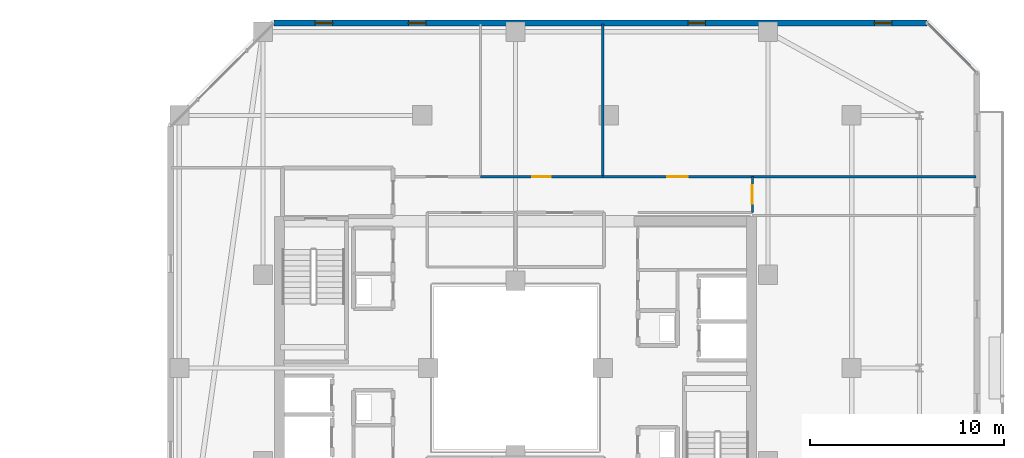
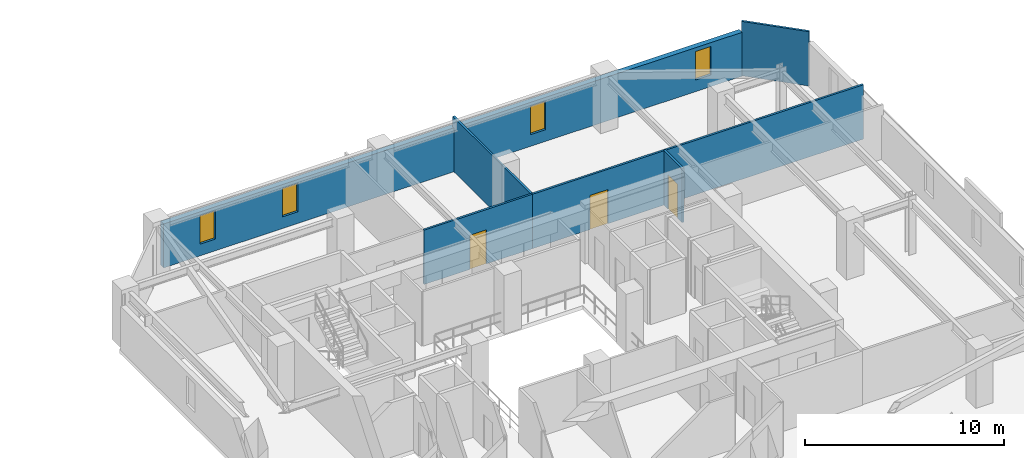
# One storey, part 25 of 32: 7 walls, 4 windows, 3 doors, 7 openings.
"""IFC4 building model written with IfcOpenShell, lengths in metres."""

from ifc_helpers import new_model, si_unit, direction, frame, frame_2d, origin, place, context, subcontext, project, spatial, rectangle, extrude, material, layer, layer_set, type_object, element, fill, save


model = new_model("IFC4")

# Units and contexts
model_context = context("Model", 3, precision=1e-05, world=origin(), true_north=direction((0.0, 1.0)))
body_context = subcontext(model_context, "Body", "Model", "MODEL_VIEW")
ifc_project = project(units=[si_unit("LENGTHUNIT", "METRE"), si_unit("AREAUNIT", "SQUARE_METRE"), si_unit("VOLUMEUNIT", "CUBIC_METRE"), si_unit("PLANEANGLEUNIT", "RADIAN"), si_unit("MASSUNIT", "GRAM", prefix="KILO")], contexts=[model_context])

# Site, building, storey
site_placement = place(None, origin())
site = spatial("IfcSite", under=ifc_project, at=site_placement, CompositionType="ELEMENT")
building_placement = place(site_placement, origin())
building = spatial("IfcBuilding", under=site, at=building_placement, Name="Thornwick Lancets Civic Towers", CompositionType="ELEMENT")
storey_placement = place(building_placement, frame((0.0, 0.0, 240.300048828125)))
storey = spatial("IfcBuildingStorey", under=building, at=storey_placement, Name="L64", CompositionType="ELEMENT", Elevation=240.300048828125)

# Wall, openings, windows
ifc_material_1 = material(Name="Insulated russet terracotta rainscreen on concrete C40/50", Category="masonry")
ifc_layer_1 = layer(ifc_material_1, 0.300048828125, Name="Insulated russet terracotta rainscreen on concrete C40/50")
ifc_layer_set_1 = layer_set([ifc_layer_1], Name="Insulated russet terracotta rainscreen on concrete C40/50")
wall_type_1 = type_object("IfcWallType", Name="WALL_EXT_RUSSET_300", PredefinedType="STANDARD", material=ifc_layer_set_1)
wall_1_placement = place(storey_placement, frame((109.681396484375, 44.7646484375, 0.0), z_axis=(0.0, 0.0, 1.0), x_axis=(-0.999999963872, -0.000268805477, 0.0)))
wall_1 = element("IfcWall", 1, at=wall_1_placement, inside=storey, type_object=wall_type_1, Name="L64 Tower B Terracotta Facade Wall E4", PredefinedType="STANDARD", context=body_context, shape_type="SweptSolid", body=[
    extrude(rectangle(XDim=33.60498046875, YDim=0.300048828125, at=frame_2d((16.802490234375, 0.0))), origin(), (0.0, 0.0, 1.0), 2.699951171875),
])
opening_1_placement = place(wall_1_placement, frame((1.800048828125, 0.0, 0.719970703125)))
opening_1 = element("IfcOpeningElement", 2, at=opening_1_placement, cuts=wall_1, Name="Opening WL-01", PredefinedType="OPENING", context=body_context, shape_type="SweptSolid", body=[
    extrude(rectangle(XDim=0.89990234375, YDim=1.75, at=frame_2d((0.449951171875, 0.875))), frame((0.0, 0.16015625, 0.0), z_axis=(0.0, -1.0, 0.0), x_axis=(1.0, 0.0, 0.0)), (0.0, 0.0, 1.0), 0.320068359375),
])
opening_2_placement = place(wall_1_placement, frame((11.39990234375, 0.0, 0.719970703125)))
opening_2 = element("IfcOpeningElement", 3, at=opening_2_placement, cuts=wall_1, Name="Opening WL-01", PredefinedType="OPENING", context=body_context, shape_type="SweptSolid", body=[
    extrude(rectangle(XDim=0.89990234375, YDim=1.75, at=frame_2d((0.449951171875, 0.875))), frame((0.0, 0.16015625, 0.0), z_axis=(0.0, -1.0, 0.0), x_axis=(1.0, 0.0, 0.0)), (0.0, 0.0, 1.0), 0.320068359375),
])
opening_3_placement = place(wall_1_placement, frame((25.800048828125, 0.0, 0.719970703125)))
opening_3 = element("IfcOpeningElement", 4, at=opening_3_placement, cuts=wall_1, Name="Opening WL-01", PredefinedType="OPENING", context=body_context, shape_type="SweptSolid", body=[
    extrude(rectangle(XDim=0.89990234375, YDim=1.75, at=frame_2d((0.449951171875, 0.875))), frame((0.0, 0.16015625, 0.0), z_axis=(0.0, -1.0, 0.0), x_axis=(1.0, 0.0, 0.0)), (0.0, 0.0, 1.0), 0.320068359375),
])
opening_4_placement = place(wall_1_placement, frame((30.60009765625, 0.0, 0.719970703125)))
opening_4 = element("IfcOpeningElement", 5, at=opening_4_placement, cuts=wall_1, Name="Opening WL-01", PredefinedType="OPENING", context=body_context, shape_type="SweptSolid", body=[
    extrude(rectangle(XDim=0.89990234375, YDim=1.75, at=frame_2d((0.449951171875, 0.875))), frame((0.0, 0.16015625, 0.0), z_axis=(0.0, -1.0, 0.0), x_axis=(1.0, 0.0, 0.0)), (0.0, 0.0, 1.0), 0.320068359375),
])
ifc_material_2 = material(Name="Clear low-e double glazing in bronze frame", Category="glass")
window_type = type_object("IfcWindowType", Name="WIN_LANCET_900", PartitioningType="SINGLE_PANEL", PredefinedType="WINDOW", material=ifc_material_2)
window_1_placement = place(opening_1_placement, origin())
window_1 = element("IfcWindow", 6, at=window_1_placement, inside=storey, type_object=window_type, Name="L64 Tower B Staggered Lancet Window E4-1", OverallHeight=1.75, OverallWidth=0.89990234375, PartitioningType="SINGLE_PANEL", PredefinedType="WINDOW", context=body_context, shape_type="SweptSolid", body=[
    extrude(rectangle(XDim=0.89990234375, YDim=1.75, at=frame_2d((0.449951171875, 0.875))), frame((0.0, 0.030029296875, 0.0), z_axis=(0.0, -1.0, 0.0), x_axis=(1.0, 0.0, 0.0)), (0.0, 0.0, 1.0), 0.06005859375),
])
fill(opening_1, window_1)
window_2_placement = place(opening_2_placement, origin())
window_2 = element("IfcWindow", 7, at=window_2_placement, inside=storey, type_object=window_type, Name="L64 Tower B Staggered Lancet Window E4-2", OverallHeight=1.75, OverallWidth=0.89990234375, PartitioningType="SINGLE_PANEL", PredefinedType="WINDOW", context=body_context, shape_type="SweptSolid", body=[
    extrude(rectangle(XDim=0.89990234375, YDim=1.75, at=frame_2d((0.449951171875, 0.875))), frame((0.0, 0.030029296875, 0.0), z_axis=(0.0, -1.0, 0.0), x_axis=(1.0, 0.0, 0.0)), (0.0, 0.0, 1.0), 0.06005859375),
])
fill(opening_2, window_2)
window_3_placement = place(opening_3_placement, origin())
window_3 = element("IfcWindow", 8, at=window_3_placement, inside=storey, type_object=window_type, Name="L64 Tower B Staggered Lancet Window E4-3", OverallHeight=1.75, OverallWidth=0.89990234375, PartitioningType="SINGLE_PANEL", PredefinedType="WINDOW", context=body_context, shape_type="SweptSolid", body=[
    extrude(rectangle(XDim=0.89990234375, YDim=1.75, at=frame_2d((0.449951171875, 0.875))), frame((0.0, 0.030029296875, 0.0), z_axis=(0.0, -1.0, 0.0), x_axis=(1.0, 0.0, 0.0)), (0.0, 0.0, 1.0), 0.06005859375),
])
fill(opening_3, window_3)
window_4_placement = place(opening_4_placement, origin())
window_4 = element("IfcWindow", 9, at=window_4_placement, inside=storey, type_object=window_type, Name="L64 Tower B Staggered Lancet Window E4-4", OverallHeight=1.75, OverallWidth=0.89990234375, PartitioningType="SINGLE_PANEL", PredefinedType="WINDOW", context=body_context, shape_type="SweptSolid", body=[
    extrude(rectangle(XDim=0.89990234375, YDim=1.75, at=frame_2d((0.449951171875, 0.875))), frame((0.0, 0.030029296875, 0.0), z_axis=(0.0, -1.0, 0.0), x_axis=(1.0, 0.0, 0.0)), (0.0, 0.0, 1.0), 0.06005859375),
])
fill(opening_4, window_4)

# Wall, opening, door
ifc_material_3 = material(Name="Acoustic gypsum board partition")
ifc_layer_2 = layer(ifc_material_3, 0.1201171875, Name="Acoustic gypsum board partition")
ifc_layer_set_2 = layer_set([ifc_layer_2], Name="Acoustic gypsum board partition")
wall_type_2 = type_object("IfcWallType", Name="WALL_PART_120", PredefinedType="PARTITIONING", material=ifc_layer_set_2)
wall_2_placement = place(storey_placement, frame((100.699951171875, 35.0, 0.0), z_axis=(0.0, 0.0, 1.0), x_axis=(0.0, 1.0, 0.0)))
wall_2 = element("IfcWall", 10, at=wall_2_placement, inside=storey, type_object=wall_type_2, Name="L64 Partition L64-B-RECLAIM-L E3", PredefinedType="PARTITIONING", context=body_context, shape_type="SweptSolid", body=[
    extrude(rectangle(XDim=1.85009765625, YDim=0.1201171875, at=frame_2d((0.925048828125, 0.0))), origin(), (0.0, 0.0, 1.0), 3.33984375),
])
opening_5_placement = place(wall_2_placement, frame((0.449951171875, 0.0, 0.0)))
opening_5 = element("IfcOpeningElement", 11, at=opening_5_placement, cuts=wall_2, Name="Opening D-L64-2907", PredefinedType="OPENING", context=body_context, shape_type="SweptSolid", body=[
    extrude(rectangle(XDim=0.949951171875, YDim=2.10009765625, at=frame_2d((0.47509765625, 1.050048828125))), frame((0.0, 0.070068359375, 0.0), z_axis=(0.0, -1.0, 0.0), x_axis=(1.0, 0.0, 0.0)), (0.0, 0.0, 1.0), 0.14013671875),
])
ifc_material_4 = material(Name="European oak acoustic doorset")
door_type_1 = type_object("IfcDoorType", Name="DOOR_OFFICE_950", OperationType="NOTDEFINED", PredefinedType="DOOR", material=ifc_material_4)
door_1_placement = place(opening_5_placement, origin())
door_1 = element("IfcDoor", 12, at=door_1_placement, inside=storey, type_object=door_type_1, Name="L64 Tower B Parliamentary Drafting Library Door", OperationType="SINGLE_SWING_RIGHT", OverallHeight=2.10009765625, OverallWidth=0.949951171875, PredefinedType="DOOR", context=body_context, shape_type="SweptSolid", body=[
    extrude(rectangle(XDim=0.949951171875, YDim=2.10009765625, at=frame_2d((0.47509765625, 1.050048828125))), frame((0.0, 0.02490234375, 0.0), z_axis=(0.0, -1.0, 0.0), x_axis=(1.0, 0.0, 0.0)), (0.0, 0.0, 1.0), 0.050048828125),
])
fill(opening_5, door_1)

# Wall
wall_3_placement = place(storey_placement, frame((100.699951171875, 36.85009765625, 0.0), z_axis=(0.0, 0.0, 1.0), x_axis=(1.0, 0.0, 0.0)))
element("IfcWall", 13, at=wall_3_placement, inside=storey, type_object=wall_type_2, Name="L64 Partition L64-B-RECLAIM-L E4", PredefinedType="PARTITIONING", context=body_context, shape_type="SweptSolid", body=[
    extrude(rectangle(XDim=11.52001953125, YDim=0.1201171875, at=frame_2d((5.760009765625, 0.0))), origin(), (0.0, 0.0, 1.0), 3.33984375),
])

# Wall, opening, door
wall_4_placement = place(storey_placement, frame((100.699951171875, 36.85009765625, 0.0), z_axis=(0.0, 0.0, 1.0), x_axis=(-1.0, 0.0, 0.0)))
wall_4 = element("IfcWall", 14, at=wall_4_placement, inside=storey, type_object=wall_type_2, Name="L64 Partition L64-B-E1 E1", PredefinedType="PARTITIONING", context=body_context, shape_type="SweptSolid", body=[
    extrude(rectangle(XDim=7.699951171875, YDim=0.1201171875, at=frame_2d((3.85009765625, 0.0))), origin(), (0.0, 0.0, 1.0), 3.33984375),
])
opening_6_placement = place(wall_4_placement, frame((3.324951171875, 0.0, 0.0)))
opening_6 = element("IfcOpeningElement", 15, at=opening_6_placement, cuts=wall_4, Name="Opening D-L64-2914", PredefinedType="OPENING", context=body_context, shape_type="SweptSolid", body=[
    extrude(rectangle(XDim=1.050048828125, YDim=2.10009765625, at=frame_2d((0.52490234375, 1.050048828125))), frame((0.0, 0.070068359375, 0.0), z_axis=(0.0, -1.0, 0.0), x_axis=(1.0, 0.0, 0.0)), (0.0, 0.0, 1.0), 0.14013671875),
])
ifc_material_5 = material(Name="Glazed European oak executive doorset")
door_type_2 = type_object("IfcDoorType", Name="DOOR_OFFICE_1050", OperationType="NOTDEFINED", PredefinedType="DOOR", material=ifc_material_5)
door_2_placement = place(opening_6_placement, origin())
door_2 = element("IfcDoor", 16, at=door_2_placement, inside=storey, type_object=door_type_2, Name="L64 Tower B Secretariat Open Office E1 Door", OperationType="SINGLE_SWING_LEFT", OverallHeight=2.10009765625, OverallWidth=1.050048828125, PredefinedType="DOOR", context=body_context, shape_type="SweptSolid", body=[
    extrude(rectangle(XDim=1.050048828125, YDim=2.10009765625, at=frame_2d((0.52490234375, 1.050048828125))), frame((0.0, 0.02490234375, 0.0), z_axis=(0.0, -1.0, 0.0), x_axis=(1.0, 0.0, 0.0)), (0.0, 0.0, 1.0), 0.050048828125),
])
fill(opening_6, door_2)

# Walls
wall_5_placement = place(storey_placement, frame((93.0, 36.85009765625, 0.0), z_axis=(0.0, 0.0, 1.0), x_axis=(0.0, 1.0, 0.0)))
element("IfcWall", 17, at=wall_5_placement, inside=storey, type_object=wall_type_2, Name="L64 Partition L64-B-E1 E2", PredefinedType="PARTITIONING", context=body_context, shape_type="SweptSolid", body=[
    extrude(rectangle(XDim=7.869873046875, YDim=0.1201171875, at=frame_2d((3.93505859375, 0.0))), origin(), (0.0, 0.0, 1.0), 3.33984375),
])
wall_6_placement = place(storey_placement, frame((109.725341796875, 44.719970703125, 0.0), z_axis=(0.0, 0.0, 1.0), x_axis=(0.707106781187, -0.707106781187, 0.0)))
element("IfcWall", 18, at=wall_6_placement, inside=storey, type_object=wall_type_2, Name="L64 Partition L64-B-E1 E4", PredefinedType="PARTITIONING", context=body_context, shape_type="SweptSolid", body=[
    extrude(rectangle(XDim=3.52783203125, YDim=0.1201171875, at=frame_2d((1.763916015625, 0.0))), origin(), (0.0, 0.0, 1.0), 3.33984375),
])

# Wall, opening, door
wall_7_placement = place(storey_placement, frame((93.0, 36.85009765625, 0.0), z_axis=(0.0, 0.0, 1.0), x_axis=(-1.0, 0.0, 0.0)))
wall_7 = element("IfcWall", 19, at=wall_7_placement, inside=storey, type_object=wall_type_2, Name="L64 Partition L64-B-E2 E4", PredefinedType="PARTITIONING", context=body_context, shape_type="SweptSolid", body=[
    extrude(rectangle(XDim=6.300048828125, YDim=0.1201171875, at=frame_2d((3.14990234375, 0.0))), origin(), (0.0, 0.0, 1.0), 3.33984375),
])
opening_7_placement = place(wall_7_placement, frame((2.675048828125, 0.0, 0.0)))
opening_7 = element("IfcOpeningElement", 20, at=opening_7_placement, cuts=wall_7, Name="Opening D-L64-2915", PredefinedType="OPENING", context=body_context, shape_type="SweptSolid", body=[
    extrude(rectangle(XDim=0.949951171875, YDim=2.10009765625, at=frame_2d((0.47509765625, 1.050048828125))), frame((0.0, 0.070068359375, 0.0), z_axis=(0.0, -1.0, 0.0), x_axis=(1.0, 0.0, 0.0)), (0.0, 0.0, 1.0), 0.14013671875),
])
door_3_placement = place(opening_7_placement, origin())
door_3 = element("IfcDoor", 21, at=door_3_placement, inside=storey, type_object=door_type_1, Name="L64 Tower B Visitors Reception and Waiting Door", OperationType="SINGLE_SWING_RIGHT", OverallHeight=2.10009765625, OverallWidth=0.949951171875, PredefinedType="DOOR", context=body_context, shape_type="SweptSolid", body=[
    extrude(rectangle(XDim=0.949951171875, YDim=2.10009765625, at=frame_2d((0.47509765625, 1.050048828125))), frame((0.0, 0.02490234375, 0.0), z_axis=(0.0, -1.0, 0.0), x_axis=(1.0, 0.0, 0.0)), (0.0, 0.0, 1.0), 0.050048828125),
])
fill(opening_7, door_3)

save(model, "model.ifc")
